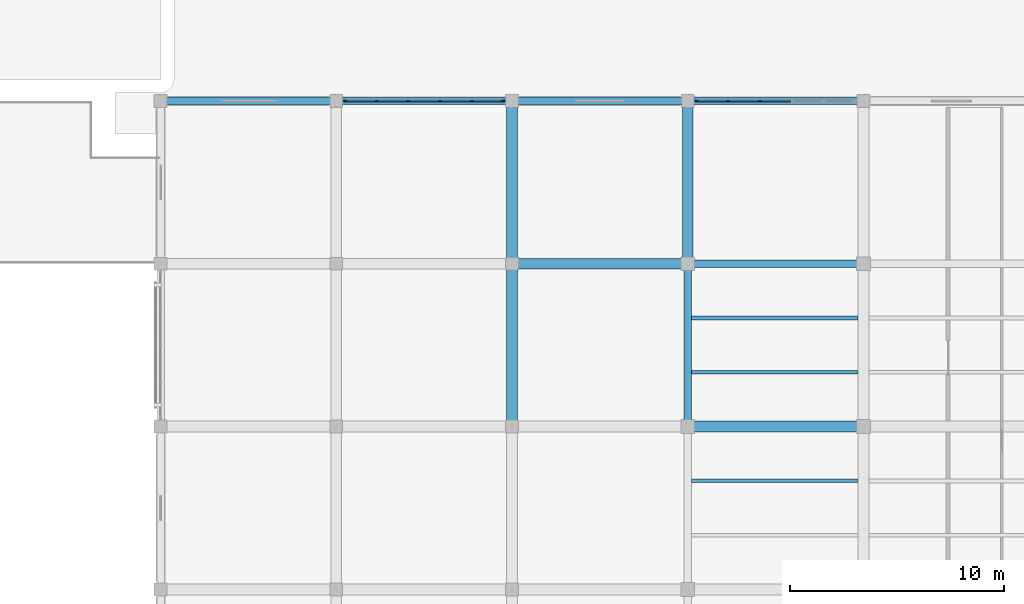
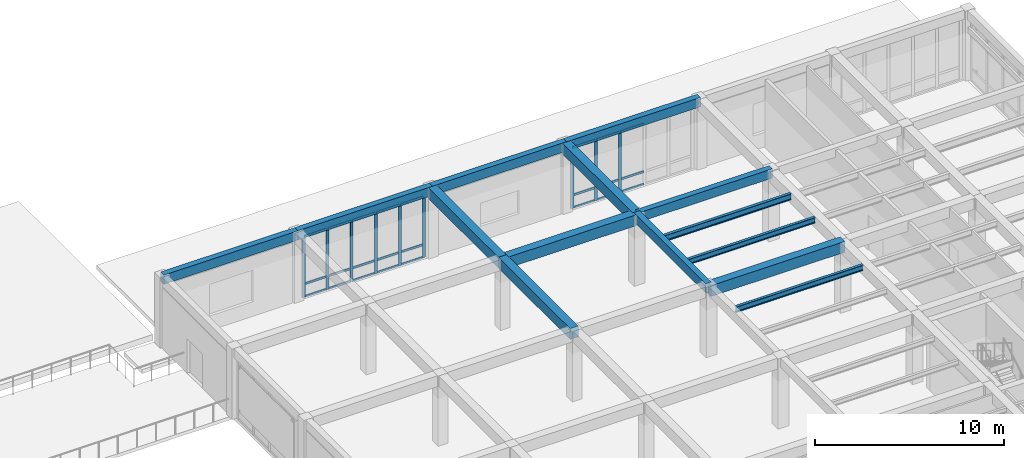
# One storey, part 22 of 49: 33 members, 14 beams, 2 elements without a shape of their own.
"""IFC4 building model written with IfcOpenShell, lengths in metres."""

from ifc_helpers import new_model, si_unit, direction, frame, origin, origin_2d, place, context, subcontext, project, spatial, rectangle, i_section, extrude, material, material_profile, profile_set, type_object, element, aggregate, save


model = new_model("IFC4")

# Units and contexts
model_context = context("Model", 3, precision=1e-05, world=origin(), true_north=direction((0.0, 1.0)))
body_context = subcontext(model_context, "Body", "Model", "MODEL_VIEW")
ifc_project = project(units=[si_unit("LENGTHUNIT", "METRE"), si_unit("AREAUNIT", "SQUARE_METRE"), si_unit("VOLUMEUNIT", "CUBIC_METRE"), si_unit("PLANEANGLEUNIT", "RADIAN"), si_unit("MASSUNIT", "GRAM", prefix="KILO")], contexts=[model_context])

# Site, building, storey
site_placement = place(None, origin())
site = spatial("IfcSite", under=ifc_project, at=site_placement, CompositionType="ELEMENT")
building_placement = place(site_placement, origin())
building = spatial("IfcBuilding", under=site, at=building_placement, Name="Qandaris Square Conservatory and Botanical Centre", CompositionType="ELEMENT")
storey_placement = place(building_placement, frame((0.0, 0.0, 10.199951171875)))
storey = spatial("IfcBuildingStorey", under=building, at=storey_placement, Name="L02", CompositionType="ELEMENT", Elevation=10.199951171875)

# Beams
ifc_material_1 = material(Name="Steel S355", Category="steel")
ifc_material_profile_1 = material_profile(ifc_material_1, i_section(OverallWidth=0.169921875, OverallDepth=0.360107421875, WebThickness=0.008056640625, FlangeThickness=0.0126953125, FilletRadius=0.01806640625, at=origin_2d()), Name="IPE 360")
ifc_profile_set_1 = profile_set([ifc_material_profile_1], Name="Steel S355")
beam_type_1 = type_object("IfcBeamType", Name="Composite Lab Joist IPE 360", PredefinedType="JOIST", material=ifc_profile_set_1)
for number, where, z_axis, x_axis, name in (
    (1, (139.375, 82.466796875, 4.320068359375), (1.0, 0.0, 0.0), (0.0, 1.0, 0.0), "L02 Composite Joist 1497"),
    (2, (139.375, 87.533203125, 4.320068359375), (1.0, 0.0, 0.0), (0.0, 1.0, 0.0), "L02 Composite Joist 1498"),
):
    element("IfcBeam", number, at=place(storey_placement, frame(where, z_axis=z_axis, x_axis=x_axis)), inside=storey, type_object=beam_type_1, Name=name, PredefinedType="JOIST", context=body_context, shape_type="SweptSolid", body=[
        extrude(i_section(OverallWidth=0.169921875, OverallDepth=0.360107421875, WebThickness=0.008056640625, FlangeThickness=0.0126953125, FilletRadius=0.01806640625, at=origin_2d()), origin(), (0.0, 0.0, 1.0), 7.77490234375),
    ])
ifc_material_profile_2 = material_profile(ifc_material_1, i_section(OverallWidth=0.179931640625, OverallDepth=0.39990234375, WebThickness=0.008544921875, FlangeThickness=0.013427734375, FilletRadius=0.02099609375, at=origin_2d()), Name="IPE 400")
ifc_profile_set_2 = profile_set([ifc_material_profile_2], Name="Steel S355")
beam_type_2 = type_object("IfcBeamType", Name="Composite Plinth Joist IPE 400", PredefinedType="JOIST", material=ifc_profile_set_2)
beam_1_placement = place(storey_placement, frame((139.375, 90.066650390625, 4.300048828125), z_axis=(1.0, 0.0, 0.0), x_axis=(0.0, 1.0, 0.0)))
element("IfcBeam", 3, at=beam_1_placement, inside=storey, type_object=beam_type_2, Name="L02 Composite Joist 1499", PredefinedType="JOIST", context=body_context, shape_type="SweptSolid", body=[
    extrude(i_section(OverallWidth=0.179931640625, OverallDepth=0.39990234375, WebThickness=0.008544921875, FlangeThickness=0.013427734375, FilletRadius=0.02099609375, at=origin_2d()), origin(), (0.0, 0.0, 1.0), 7.77490234375),
])

# Curtain wall, members
ifc_material_2 = material(Name="Anodised Aluminium", Category="aluminium")
curtain_wall_type = type_object("IfcCurtainWallType", Name="Unitised Curtain Wall CW-3-740x394", PredefinedType="USERDEFINED", material=ifc_material_2)
curtain_wall_1_placement = place(storey_placement, origin())
curtain_wall_1 = element("IfcCurtainWall", 4, at=curtain_wall_1_placement, inside=storey, type_object=curtain_wall_type, Name="Curtain Wall CW-TWR-L02-3-3", ObjectType="GLAZED CURTAIN WALL", PredefinedType="USERDEFINED")
ifc_material_profile_3 = material_profile(ifc_material_2, rectangle(XDim=0.06494140625, YDim=0.179931640625, at=origin_2d()), Name="ALU-MUL 65x180")
ifc_profile_set_3 = profile_set([ifc_material_profile_3], Name="Anodised Aluminium")
member_type_1 = type_object("IfcMemberType", Name="Curtain Wall Mullion 65x180", PredefinedType="MULLION", material=ifc_profile_set_3)
member_1_placement = place(storey_placement, frame((142.56005859375, 100.199951171875, 0.0), z_axis=(0.0, 0.0, 1.0), x_axis=(0.0, -1.0, 0.0)))
member_1 = element("IfcMember", 5, at=member_1_placement, type_object=member_type_1, Name="CW-3-740x394 mullion 4", PredefinedType="MULLION", context=body_context, shape_type="SweptSolid", body=[
    extrude(rectangle(XDim=0.06494140625, YDim=0.179931640625, at=origin_2d()), origin(), (0.0, 0.0, 1.0), 3.945068359375),
])
member_2_placement = place(storey_placement, frame((141.080078125, 100.199951171875, 0.0), z_axis=(0.0, 0.0, 1.0), x_axis=(0.0, -1.0, 0.0)))
member_2 = element("IfcMember", 6, at=member_2_placement, type_object=member_type_1, Name="CW-3-740x394 mullion 5", PredefinedType="MULLION", context=body_context, shape_type="SweptSolid", body=[
    extrude(rectangle(XDim=0.06494140625, YDim=0.179931640625, at=origin_2d()), origin(), (0.0, 0.0, 1.0), 3.945068359375),
])
member_3_placement = place(storey_placement, frame((139.632568359375, 100.199951171875, 0.0), z_axis=(0.0, 0.0, 1.0), x_axis=(0.0, -1.0, 0.0)))
member_3 = element("IfcMember", 7, at=member_3_placement, type_object=member_type_1, Name="CW-3-740x394 mullion 6", PredefinedType="MULLION", context=body_context, shape_type="SweptSolid", body=[
    extrude(rectangle(XDim=0.06494140625, YDim=0.179931640625, at=origin_2d()), origin(), (0.0, 0.0, 1.0), 3.945068359375),
])

curtain_wall_2_placement = place(storey_placement, origin())
curtain_wall_2 = element("IfcCurtainWall", 8, at=curtain_wall_2_placement, inside=storey, type_object=curtain_wall_type, Name="Curtain Wall CW-TWR-L02-3-5", ObjectType="GLAZED CURTAIN WALL", PredefinedType="USERDEFINED")
member_4_placement = place(storey_placement, frame((130.5673828125, 100.199951171875, 0.0), z_axis=(0.0, 0.0, 1.0), x_axis=(0.0, -1.0, 0.0)))
member_4 = element("IfcMember", 9, at=member_4_placement, type_object=member_type_1, Name="CW-3-740x394 mullion 1", PredefinedType="MULLION", context=body_context, shape_type="SweptSolid", body=[
    extrude(rectangle(XDim=0.06494140625, YDim=0.179931640625, at=origin_2d()), origin(), (0.0, 0.0, 1.0), 3.945068359375),
])
member_5_placement = place(storey_placement, frame((129.1201171875, 100.199951171875, 0.0), z_axis=(0.0, 0.0, 1.0), x_axis=(0.0, -1.0, 0.0)))
member_5 = element("IfcMember", 10, at=member_5_placement, type_object=member_type_1, Name="CW-3-740x394 mullion 2", PredefinedType="MULLION", context=body_context, shape_type="SweptSolid", body=[
    extrude(rectangle(XDim=0.06494140625, YDim=0.179931640625, at=origin_2d()), origin(), (0.0, 0.0, 1.0), 3.945068359375),
])
member_6_placement = place(storey_placement, frame((127.639892578125, 100.199951171875, 0.0), z_axis=(0.0, 0.0, 1.0), x_axis=(0.0, -1.0, 0.0)))
member_6 = element("IfcMember", 11, at=member_6_placement, type_object=member_type_1, Name="CW-3-740x394 mullion 3", PredefinedType="MULLION", context=body_context, shape_type="SweptSolid", body=[
    extrude(rectangle(XDim=0.06494140625, YDim=0.179931640625, at=origin_2d()), origin(), (0.0, 0.0, 1.0), 3.945068359375),
])
member_7_placement = place(storey_placement, frame((126.159912109375, 100.199951171875, 0.0), z_axis=(0.0, 0.0, 1.0), x_axis=(0.0, -1.0, 0.0)))
member_7 = element("IfcMember", 12, at=member_7_placement, type_object=member_type_1, Name="CW-3-740x394 mullion 4", PredefinedType="MULLION", context=body_context, shape_type="SweptSolid", body=[
    extrude(rectangle(XDim=0.06494140625, YDim=0.179931640625, at=origin_2d()), origin(), (0.0, 0.0, 1.0), 3.945068359375),
])
member_8_placement = place(storey_placement, frame((124.679931640625, 100.199951171875, 0.0), z_axis=(0.0, 0.0, 1.0), x_axis=(0.0, -1.0, 0.0)))
member_8 = element("IfcMember", 13, at=member_8_placement, type_object=member_type_1, Name="CW-3-740x394 mullion 5", PredefinedType="MULLION", context=body_context, shape_type="SweptSolid", body=[
    extrude(rectangle(XDim=0.06494140625, YDim=0.179931640625, at=origin_2d()), origin(), (0.0, 0.0, 1.0), 3.945068359375),
])
member_9_placement = place(storey_placement, frame((123.232421875, 100.199951171875, 0.0), z_axis=(0.0, 0.0, 1.0), x_axis=(0.0, -1.0, 0.0)))
member_9 = element("IfcMember", 14, at=member_9_placement, type_object=member_type_1, Name="CW-3-740x394 mullion 6", PredefinedType="MULLION", context=body_context, shape_type="SweptSolid", body=[
    extrude(rectangle(XDim=0.06494140625, YDim=0.179931640625, at=origin_2d()), origin(), (0.0, 0.0, 1.0), 3.945068359375),
])

# Member
ifc_material_profile_4 = material_profile(ifc_material_2, rectangle(XDim=0.06494140625, YDim=0.139892578125, at=origin_2d()), Name="ALU-TRN 65x140")
ifc_profile_set_4 = profile_set([ifc_material_profile_4], Name="Anodised Aluminium")
member_type_2 = type_object("IfcMemberType", Name="Curtain Wall Transom 65x140", PredefinedType="USERDEFINED", material=ifc_profile_set_4)
member_10_placement = place(storey_placement, frame((144.007568359375, 100.199951171875, 0.032470703125), z_axis=(-1.0, 0.0, 0.0), x_axis=(0.0, -1.0, 0.0)))
member_10 = element("IfcMember", 15, at=member_10_placement, type_object=member_type_2, Name="CW-3-740x394 transom 3.1", ObjectType="TRANSOM", PredefinedType="USERDEFINED", context=body_context, shape_type="SweptSolid", body=[
    extrude(rectangle(XDim=0.06494140625, YDim=0.139892578125, at=origin_2d()), origin(), (0.0, 0.0, 1.0), 1.4150390625),
])

member_11_placement = place(storey_placement, frame((144.007568359375, 100.199951171875, 0.85009765625), z_axis=(-1.0, 0.0, 0.0), x_axis=(0.0, -1.0, 0.0)))
member_11 = element("IfcMember", 16, at=member_11_placement, type_object=member_type_2, Name="CW-3-740x394 transom 3.2", ObjectType="TRANSOM", PredefinedType="USERDEFINED", context=body_context, shape_type="SweptSolid", body=[
    extrude(rectangle(XDim=0.06494140625, YDim=0.139892578125, at=origin_2d()), origin(), (0.0, 0.0, 1.0), 1.4150390625),
])

member_12_placement = place(storey_placement, frame((144.007568359375, 100.199951171875, 3.91259765625), z_axis=(-1.0, 0.0, 0.0), x_axis=(0.0, -1.0, 0.0)))
member_12 = element("IfcMember", 17, at=member_12_placement, type_object=member_type_2, Name="CW-3-740x394 transom 3.3", ObjectType="TRANSOM", PredefinedType="USERDEFINED", context=body_context, shape_type="SweptSolid", body=[
    extrude(rectangle(XDim=0.06494140625, YDim=0.139892578125, at=origin_2d()), origin(), (0.0, 0.0, 1.0), 1.4150390625),
])

member_13_placement = place(storey_placement, frame((142.527587890625, 100.199951171875, 0.032470703125), z_axis=(-1.0, 0.0, 0.0), x_axis=(0.0, -1.0, 0.0)))
member_13 = element("IfcMember", 18, at=member_13_placement, type_object=member_type_2, Name="CW-3-740x394 transom 4.1", ObjectType="TRANSOM", PredefinedType="USERDEFINED", context=body_context, shape_type="SweptSolid", body=[
    extrude(rectangle(XDim=0.06494140625, YDim=0.139892578125, at=origin_2d()), origin(), (0.0, 0.0, 1.0), 1.4150390625),
])

member_14_placement = place(storey_placement, frame((142.527587890625, 100.199951171875, 0.85009765625), z_axis=(-1.0, 0.0, 0.0), x_axis=(0.0, -1.0, 0.0)))
member_14 = element("IfcMember", 19, at=member_14_placement, type_object=member_type_2, Name="CW-3-740x394 transom 4.2", ObjectType="TRANSOM", PredefinedType="USERDEFINED", context=body_context, shape_type="SweptSolid", body=[
    extrude(rectangle(XDim=0.06494140625, YDim=0.139892578125, at=origin_2d()), origin(), (0.0, 0.0, 1.0), 1.4150390625),
])

member_15_placement = place(storey_placement, frame((142.527587890625, 100.199951171875, 3.91259765625), z_axis=(-1.0, 0.0, 0.0), x_axis=(0.0, -1.0, 0.0)))
member_15 = element("IfcMember", 20, at=member_15_placement, type_object=member_type_2, Name="CW-3-740x394 transom 4.3", ObjectType="TRANSOM", PredefinedType="USERDEFINED", context=body_context, shape_type="SweptSolid", body=[
    extrude(rectangle(XDim=0.06494140625, YDim=0.139892578125, at=origin_2d()), origin(), (0.0, 0.0, 1.0), 1.4150390625),
])

member_16_placement = place(storey_placement, frame((141.047607421875, 100.199951171875, 0.032470703125), z_axis=(-1.0, 0.0, 0.0), x_axis=(0.0, -1.0, 0.0)))
member_16 = element("IfcMember", 21, at=member_16_placement, type_object=member_type_2, Name="CW-3-740x394 transom 5.1", ObjectType="TRANSOM", PredefinedType="USERDEFINED", context=body_context, shape_type="SweptSolid", body=[
    extrude(rectangle(XDim=0.06494140625, YDim=0.139892578125, at=origin_2d()), origin(), (0.0, 0.0, 1.0), 1.382568359375),
])

member_17_placement = place(storey_placement, frame((141.047607421875, 100.199951171875, 0.85009765625), z_axis=(-1.0, 0.0, 0.0), x_axis=(0.0, -1.0, 0.0)))
member_17 = element("IfcMember", 22, at=member_17_placement, type_object=member_type_2, Name="CW-3-740x394 transom 5.2", ObjectType="TRANSOM", PredefinedType="USERDEFINED", context=body_context, shape_type="SweptSolid", body=[
    extrude(rectangle(XDim=0.06494140625, YDim=0.139892578125, at=origin_2d()), origin(), (0.0, 0.0, 1.0), 1.382568359375),
])

member_18_placement = place(storey_placement, frame((141.047607421875, 100.199951171875, 3.91259765625), z_axis=(-1.0, 0.0, 0.0), x_axis=(0.0, -1.0, 0.0)))
member_18 = element("IfcMember", 23, at=member_18_placement, type_object=member_type_2, Name="CW-3-740x394 transom 5.3", ObjectType="TRANSOM", PredefinedType="USERDEFINED", context=body_context, shape_type="SweptSolid", body=[
    extrude(rectangle(XDim=0.06494140625, YDim=0.139892578125, at=origin_2d()), origin(), (0.0, 0.0, 1.0), 1.382568359375),
])

aggregate(curtain_wall_1, [member_1, member_2, member_3, member_10, member_11, member_12, member_13, member_14, member_15, member_16, member_17, member_18])

member_19_placement = place(storey_placement, frame((130.534912109375, 100.199951171875, 0.032470703125), z_axis=(-1.0, 0.0, 0.0), x_axis=(0.0, -1.0, 0.0)))
member_19 = element("IfcMember", 24, at=member_19_placement, type_object=member_type_2, Name="CW-3-740x394 transom 1.1", ObjectType="TRANSOM", PredefinedType="USERDEFINED", context=body_context, shape_type="SweptSolid", body=[
    extrude(rectangle(XDim=0.06494140625, YDim=0.139892578125, at=origin_2d()), origin(), (0.0, 0.0, 1.0), 1.38232421875),
])

member_20_placement = place(storey_placement, frame((130.534912109375, 100.199951171875, 0.85009765625), z_axis=(-1.0, 0.0, 0.0), x_axis=(0.0, -1.0, 0.0)))
member_20 = element("IfcMember", 25, at=member_20_placement, type_object=member_type_2, Name="CW-3-740x394 transom 1.2", ObjectType="TRANSOM", PredefinedType="USERDEFINED", context=body_context, shape_type="SweptSolid", body=[
    extrude(rectangle(XDim=0.06494140625, YDim=0.139892578125, at=origin_2d()), origin(), (0.0, 0.0, 1.0), 1.38232421875),
])

member_21_placement = place(storey_placement, frame((130.534912109375, 100.199951171875, 3.91259765625), z_axis=(-1.0, 0.0, 0.0), x_axis=(0.0, -1.0, 0.0)))
member_21 = element("IfcMember", 26, at=member_21_placement, type_object=member_type_2, Name="CW-3-740x394 transom 1.3", ObjectType="TRANSOM", PredefinedType="USERDEFINED", context=body_context, shape_type="SweptSolid", body=[
    extrude(rectangle(XDim=0.06494140625, YDim=0.139892578125, at=origin_2d()), origin(), (0.0, 0.0, 1.0), 1.38232421875),
])

member_22_placement = place(storey_placement, frame((129.08740234375, 100.199951171875, 0.032470703125), z_axis=(-1.0, 0.0, 0.0), x_axis=(0.0, -1.0, 0.0)))
member_22 = element("IfcMember", 27, at=member_22_placement, type_object=member_type_2, Name="CW-3-740x394 transom 2.1", ObjectType="TRANSOM", PredefinedType="USERDEFINED", context=body_context, shape_type="SweptSolid", body=[
    extrude(rectangle(XDim=0.06494140625, YDim=0.139892578125, at=origin_2d()), origin(), (0.0, 0.0, 1.0), 1.414794921875),
])

member_23_placement = place(storey_placement, frame((129.08740234375, 100.199951171875, 0.85009765625), z_axis=(-1.0, 0.0, 0.0), x_axis=(0.0, -1.0, 0.0)))
member_23 = element("IfcMember", 28, at=member_23_placement, type_object=member_type_2, Name="CW-3-740x394 transom 2.2", ObjectType="TRANSOM", PredefinedType="USERDEFINED", context=body_context, shape_type="SweptSolid", body=[
    extrude(rectangle(XDim=0.06494140625, YDim=0.139892578125, at=origin_2d()), origin(), (0.0, 0.0, 1.0), 1.414794921875),
])

member_24_placement = place(storey_placement, frame((129.08740234375, 100.199951171875, 3.91259765625), z_axis=(-1.0, 0.0, 0.0), x_axis=(0.0, -1.0, 0.0)))
member_24 = element("IfcMember", 29, at=member_24_placement, type_object=member_type_2, Name="CW-3-740x394 transom 2.3", ObjectType="TRANSOM", PredefinedType="USERDEFINED", context=body_context, shape_type="SweptSolid", body=[
    extrude(rectangle(XDim=0.06494140625, YDim=0.139892578125, at=origin_2d()), origin(), (0.0, 0.0, 1.0), 1.414794921875),
])

member_25_placement = place(storey_placement, frame((127.607421875, 100.199951171875, 0.032470703125), z_axis=(-1.0, 0.0, 0.0), x_axis=(0.0, -1.0, 0.0)))
member_25 = element("IfcMember", 30, at=member_25_placement, type_object=member_type_2, Name="CW-3-740x394 transom 3.1", ObjectType="TRANSOM", PredefinedType="USERDEFINED", context=body_context, shape_type="SweptSolid", body=[
    extrude(rectangle(XDim=0.06494140625, YDim=0.139892578125, at=origin_2d()), origin(), (0.0, 0.0, 1.0), 1.4150390625),
])

member_26_placement = place(storey_placement, frame((127.607421875, 100.199951171875, 0.85009765625), z_axis=(-1.0, 0.0, 0.0), x_axis=(0.0, -1.0, 0.0)))
member_26 = element("IfcMember", 31, at=member_26_placement, type_object=member_type_2, Name="CW-3-740x394 transom 3.2", ObjectType="TRANSOM", PredefinedType="USERDEFINED", context=body_context, shape_type="SweptSolid", body=[
    extrude(rectangle(XDim=0.06494140625, YDim=0.139892578125, at=origin_2d()), origin(), (0.0, 0.0, 1.0), 1.4150390625),
])

member_27_placement = place(storey_placement, frame((127.607421875, 100.199951171875, 3.91259765625), z_axis=(-1.0, 0.0, 0.0), x_axis=(0.0, -1.0, 0.0)))
member_27 = element("IfcMember", 32, at=member_27_placement, type_object=member_type_2, Name="CW-3-740x394 transom 3.3", ObjectType="TRANSOM", PredefinedType="USERDEFINED", context=body_context, shape_type="SweptSolid", body=[
    extrude(rectangle(XDim=0.06494140625, YDim=0.139892578125, at=origin_2d()), origin(), (0.0, 0.0, 1.0), 1.4150390625),
])

member_28_placement = place(storey_placement, frame((126.12744140625, 100.199951171875, 0.032470703125), z_axis=(-1.0, 0.0, 0.0), x_axis=(0.0, -1.0, 0.0)))
member_28 = element("IfcMember", 33, at=member_28_placement, type_object=member_type_2, Name="CW-3-740x394 transom 4.1", ObjectType="TRANSOM", PredefinedType="USERDEFINED", context=body_context, shape_type="SweptSolid", body=[
    extrude(rectangle(XDim=0.06494140625, YDim=0.139892578125, at=origin_2d()), origin(), (0.0, 0.0, 1.0), 1.4150390625),
])

member_29_placement = place(storey_placement, frame((126.12744140625, 100.199951171875, 0.85009765625), z_axis=(-1.0, 0.0, 0.0), x_axis=(0.0, -1.0, 0.0)))
member_29 = element("IfcMember", 34, at=member_29_placement, type_object=member_type_2, Name="CW-3-740x394 transom 4.2", ObjectType="TRANSOM", PredefinedType="USERDEFINED", context=body_context, shape_type="SweptSolid", body=[
    extrude(rectangle(XDim=0.06494140625, YDim=0.139892578125, at=origin_2d()), origin(), (0.0, 0.0, 1.0), 1.4150390625),
])

member_30_placement = place(storey_placement, frame((126.12744140625, 100.199951171875, 3.91259765625), z_axis=(-1.0, 0.0, 0.0), x_axis=(0.0, -1.0, 0.0)))
member_30 = element("IfcMember", 35, at=member_30_placement, type_object=member_type_2, Name="CW-3-740x394 transom 4.3", ObjectType="TRANSOM", PredefinedType="USERDEFINED", context=body_context, shape_type="SweptSolid", body=[
    extrude(rectangle(XDim=0.06494140625, YDim=0.139892578125, at=origin_2d()), origin(), (0.0, 0.0, 1.0), 1.4150390625),
])

member_31_placement = place(storey_placement, frame((124.6474609375, 100.199951171875, 0.032470703125), z_axis=(-1.0, 0.0, 0.0), x_axis=(0.0, -1.0, 0.0)))
member_31 = element("IfcMember", 36, at=member_31_placement, type_object=member_type_2, Name="CW-3-740x394 transom 5.1", ObjectType="TRANSOM", PredefinedType="USERDEFINED", context=body_context, shape_type="SweptSolid", body=[
    extrude(rectangle(XDim=0.06494140625, YDim=0.139892578125, at=origin_2d()), origin(), (0.0, 0.0, 1.0), 1.382568359375),
])

member_32_placement = place(storey_placement, frame((124.6474609375, 100.199951171875, 0.85009765625), z_axis=(-1.0, 0.0, 0.0), x_axis=(0.0, -1.0, 0.0)))
member_32 = element("IfcMember", 37, at=member_32_placement, type_object=member_type_2, Name="CW-3-740x394 transom 5.2", ObjectType="TRANSOM", PredefinedType="USERDEFINED", context=body_context, shape_type="SweptSolid", body=[
    extrude(rectangle(XDim=0.06494140625, YDim=0.139892578125, at=origin_2d()), origin(), (0.0, 0.0, 1.0), 1.382568359375),
])

member_33_placement = place(storey_placement, frame((124.6474609375, 100.199951171875, 3.91259765625), z_axis=(-1.0, 0.0, 0.0), x_axis=(0.0, -1.0, 0.0)))
member_33 = element("IfcMember", 38, at=member_33_placement, type_object=member_type_2, Name="CW-3-740x394 transom 5.3", ObjectType="TRANSOM", PredefinedType="USERDEFINED", context=body_context, shape_type="SweptSolid", body=[
    extrude(rectangle(XDim=0.06494140625, YDim=0.139892578125, at=origin_2d()), origin(), (0.0, 0.0, 1.0), 1.382568359375),
])

aggregate(curtain_wall_2, [member_4, member_5, member_6, member_7, member_8, member_9, member_19, member_20, member_21, member_22, member_23, member_24, member_25, member_26, member_27, member_28, member_29, member_30, member_31, member_32, member_33])

# Beams
ifc_material_3 = material(Name="Concrete C50/60", Category="concrete")
ifc_material_profile_5 = material_profile(ifc_material_3, rectangle(XDim=0.35009765625, YDim=0.60009765625, at=origin_2d()), Name="RC-SP 350x600")
ifc_profile_set_5 = profile_set([ifc_material_profile_5], Name="Concrete C50/60")
beam_type_3 = type_object("IfcBeamType", Name="RC Edge Spandrel Beam 350x600", PredefinedType="SPANDREL", material=ifc_profile_set_5)
for number, where, z_axis, x_axis, name in (
    (39, (139.199951171875, 92.60009765625, 4.2451171875), (1.0, 0.0, 0.0), (0.0, 1.0, 0.0), "L02 Frame Beam 1368"),
    (40, (114.60009765625, 100.199951171875, 4.2451171875), (1.0, 0.0, 0.0), (0.0, 1.0, 0.0), "L02 Frame Beam 1371"),
    (41, (122.800048828125, 100.199951171875, 4.2451171875), (1.0, 0.0, 0.0), (0.0, 1.0, 0.0), "L02 Frame Beam 1372"),
    (42, (131.0, 100.199951171875, 4.2451171875), (1.0, 0.0, 0.0), (0.0, 1.0, 0.0), "L02 Frame Beam 1373"),
    (43, (139.199951171875, 100.199951171875, 4.2451171875), (1.0, 0.0, 0.0), (0.0, 1.0, 0.0), "L02 Frame Beam 1374"),
):
    element("IfcBeam", number, at=place(storey_placement, frame(where, z_axis=z_axis, x_axis=x_axis)), inside=storey, type_object=beam_type_3, Name=name, PredefinedType="SPANDREL", context=body_context, shape_type="SweptSolid", body=[
        extrude(rectangle(XDim=0.35009765625, YDim=0.60009765625, at=origin_2d()), origin(), (0.0, 0.0, 1.0), 8.199951171875),
    ])
beam_2_placement = place(storey_placement, frame((139.199951171875, 85.0, 4.2451171875), z_axis=(0.0, 1.0, 0.0), x_axis=(-1.0, 0.0, 0.0)))
element("IfcBeam", 44, at=beam_2_placement, inside=storey, type_object=beam_type_3, Name="L02 Frame Beam 1426", PredefinedType="SPANDREL", context=body_context, shape_type="SweptSolid", body=[
    extrude(rectangle(XDim=0.35009765625, YDim=0.60009765625, at=origin_2d()), origin(), (0.0, 0.0, 1.0), 7.60009765625),
])
ifc_material_profile_6 = material_profile(ifc_material_3, rectangle(XDim=0.5, YDim=0.699951171875, at=origin_2d()), Name="RC-BM 500x700")
ifc_profile_set_6 = profile_set([ifc_material_profile_6], Name="Concrete C50/60")
beam_type_4 = type_object("IfcBeamType", Name="RC Floor Girder 500x700", PredefinedType="BEAM", material=ifc_profile_set_6)
for number, where, z_axis, x_axis, name in (
    (45, (139.199951171875, 85.0, 4.16015625), (1.0, 0.0, 0.0), (0.0, 1.0, 0.0), "L02 Frame Beam 1362"),
    (46, (131.0, 92.60009765625, 4.195068359375), (1.0, 0.0, 0.0), (0.0, 1.0, 0.0), "L02 Frame Beam 1367"),
):
    element("IfcBeam", number, at=place(storey_placement, frame(where, z_axis=z_axis, x_axis=x_axis)), inside=storey, type_object=beam_type_4, Name=name, PredefinedType="BEAM", context=body_context, shape_type="SweptSolid", body=[
        extrude(rectangle(XDim=0.5, YDim=0.699951171875, at=origin_2d()), origin(), (0.0, 0.0, 1.0), 8.199951171875),
    ])
beam_3_placement = place(storey_placement, frame((131.0, 85.0, 4.195068359375), z_axis=(0.0, 1.0, 0.0), x_axis=(-1.0, 0.0, 0.0)))
element("IfcBeam", 47, at=beam_3_placement, inside=storey, type_object=beam_type_4, Name="L02 Frame Beam 1415", PredefinedType="BEAM", context=body_context, shape_type="SweptSolid", body=[
    extrude(rectangle(XDim=0.5, YDim=0.699951171875, at=origin_2d()), origin(), (0.0, 0.0, 1.0), 7.60009765625),
])
for number, where, z_axis, x_axis, name in (
    (48, (131.0, 92.60009765625, 4.195068359375), (0.0, 1.0, 0.0), (-1.0, 0.0, 0.0), "L02 Frame Beam 1416"),
    (49, (139.199951171875, 92.60009765625, 4.195068359375), (0.0, 1.0, 0.0), (-1.0, 0.0, 0.0), "L02 Frame Beam 1427"),
):
    element("IfcBeam", number, at=place(storey_placement, frame(where, z_axis=z_axis, x_axis=x_axis)), inside=storey, type_object=beam_type_4, Name=name, PredefinedType="BEAM", context=body_context, shape_type="SweptSolid", body=[
        extrude(rectangle(XDim=0.5, YDim=0.699951171875, at=origin_2d()), origin(), (0.0, 0.0, 1.0), 7.599853515625),
    ])

save(model, "model.ifc")
